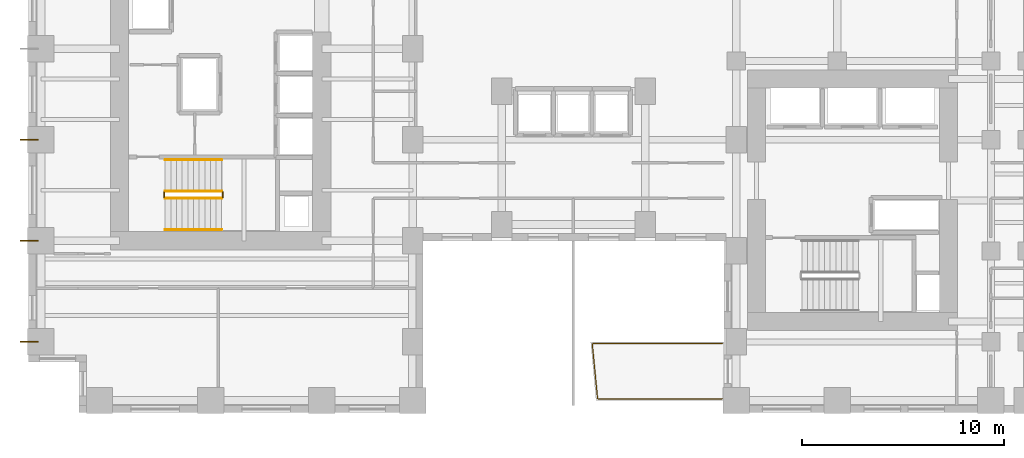
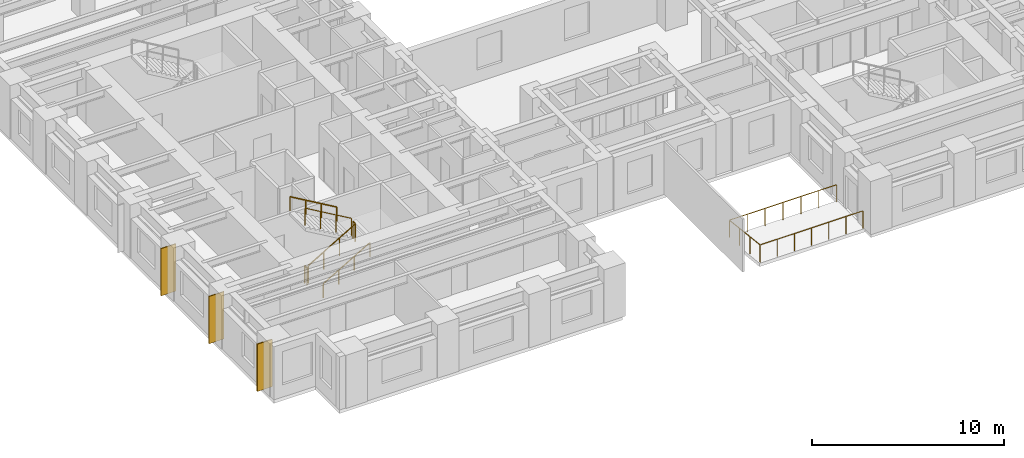
# One storey, part 10 of 12: 7 railings, 3 coverings.
"""IFC4 building model written with IfcOpenShell, lengths in metres."""

from ifc_helpers import new_model, si_unit, direction, frame, origin, origin_2d, place, context, subcontext, project, spatial, rectangle, circle, extrude, source, transform, mapped, material, layer, layer_set, type_object, element, save


model = new_model("IFC4")

# Units and contexts
model_context = context("Model", 3, precision=1e-05, world=origin(), true_north=direction((0.0, 1.0)))
body_context = subcontext(model_context, "Body", "Model", "MODEL_VIEW")
ifc_project = project(units=[si_unit("LENGTHUNIT", "METRE"), si_unit("AREAUNIT", "SQUARE_METRE"), si_unit("VOLUMEUNIT", "CUBIC_METRE"), si_unit("PLANEANGLEUNIT", "RADIAN"), si_unit("MASSUNIT", "GRAM", prefix="KILO")], contexts=[model_context])

# Site, building, storey
site_placement = place(None, origin())
site = spatial("IfcSite", under=ifc_project, at=site_placement, CompositionType="ELEMENT")
building_placement = place(site_placement, origin())
building = spatial("IfcBuilding", under=site, at=building_placement, Name="Kharzan Plaza Tower", CompositionType="ELEMENT")
storey_placement = place(building_placement, frame((0.0, 0.0, 62.10009765625)))
storey = spatial("IfcBuildingStorey", under=building, at=storey_placement, Name="L16", CompositionType="ELEMENT", Elevation=62.10009765625)

# Railings
ifc_material_1 = material(Name="Painted Galvanized Architectural Steel", Category="steel")
ifc_layer_1 = layer(ifc_material_1, 0.074951171875)
ifc_layer_set_1 = layer_set([ifc_layer_1], Name="Painted Galvanized Architectural Steel")
railing_type_1 = type_object("IfcRailingType", Name="RL-GUARD-1120", PredefinedType="BALUSTRADE", material=ifc_layer_set_1)
shared_shape_1 = source(origin(), body_context, "Body", "SweptSolid", [
    extrude(circle(Radius=0.02392578125, at=origin_2d()), frame((0.0, 0.0263671875, 1.09619140625), z_axis=(0.0, 1.0, 0.0), x_axis=(-1.0, 0.0, 0.0)), (0.0, 0.0, 1.0), 0.197021484375),
    extrude(circle(Radius=0.02099609375, at=origin_2d()), origin(), (0.0, 0.0, 1.0), 1.072021484375),
    extrude(circle(Radius=0.02099609375, at=origin_2d()), frame((0.0, 0.25, 0.0)), (0.0, 0.0, 1.0), 1.072021484375),
])
for number, where, name in (
    (1, (9.60009765625, 10.64990234375, 1.7998046875), "L16 ST-1 stair guard 2"),
    (2, (6.699951171875, 10.64990234375, 0.0), "L16 ST-1 stair guard 4"),
):
    element("IfcRailing", number, at=place(storey_placement, frame(where)), inside=storey, type_object=railing_type_1, Name=name, PredefinedType="BALUSTRADE", context=body_context, shape_type="MappedRepresentation", body=[
        mapped(shared_shape_1, transform((0.0, 0.0, 0.0), x_axis=(1.0, 0.0, 0.0), y_axis=(0.0, 1.0, 0.0), z_axis=(0.0, 0.0, 1.0))),
    ])

# Coverings
ifc_material_2 = material(Name="Honed Riyadh Limestone", Category="masonry")
ifc_layer_2 = layer(ifc_material_2, 0.06005859375)
ifc_layer_set_2 = layer_set([ifc_layer_2], Name="Honed Riyadh Limestone")
covering_type = type_object("IfcCoveringType", Name="COV-CLAD-STONE", PredefinedType="CLADDING", material=ifc_layer_set_2)
shared_shape_2 = source(origin(), body_context, "Body", "SweptSolid", [
    extrude(rectangle(XDim=0.06005859375, YDim=0.89990234375, at=origin_2d()), origin(), (0.0, 0.0, 1.0), 3.0),
])
for number, where, z_axis, x_axis, name in (
    (3, (0.02001953125, 13.5, 0.099853515625), (0.0, 0.0, 1.0), (0.0, 1.0, 0.0), "L16 Limestone Pier Rainscreen Cladding TCW-135"),
    (4, (0.02001953125, 3.5, 0.099853515625), (0.0, 0.0, 1.0), (0.0, 1.0, 0.0), "L16 Limestone Pier Rainscreen Cladding TCW-35"),
    (5, (0.02001953125, 8.5, 0.099853515625), (0.0, 0.0, 1.0), (0.0, 1.0, 0.0), "L16 Limestone Pier Rainscreen Cladding TCW-85"),
):
    element("IfcCovering", number, at=place(storey_placement, frame(where, z_axis=z_axis, x_axis=x_axis)), inside=storey, type_object=covering_type, Name=name, PredefinedType="CLADDING", context=body_context, shape_type="MappedRepresentation", body=[
        mapped(shared_shape_2, transform((0.0, 0.0, 0.0), x_axis=(1.0, 0.0, 0.0), y_axis=(0.0, 1.0, 0.0), z_axis=(0.0, 0.0, 1.0))),
    ])

# Railings
shared_shape_3 = source(origin(), body_context, "Body", "SweptSolid", [
    extrude(circle(Radius=0.02392578125, at=origin_2d()), frame((0.02294921875, 0.0, 1.109375), z_axis=(0.863393664356, 0.0, 0.504530851732), x_axis=(0.0, 1.0, 0.0)), (0.0, 0.0, 1.0), 3.190185546875),
    extrude(circle(Radius=0.02099609375, at=origin_2d()), origin(), (0.0, 0.0, 1.0), 1.072021484375),
    extrude(circle(Radius=0.02099609375, at=origin_2d()), frame((0.933349609375, 0.0, 0.54541015625)), (0.0, 0.0, 1.0), 1.072021484375),
    extrude(circle(Radius=0.02099609375, at=origin_2d()), frame((1.86669921875, 0.0, 1.0908203125)), (0.0, 0.0, 1.0), 1.072021484375),
    extrude(circle(Radius=0.02099609375, at=origin_2d()), frame((2.800048828125, 0.0, 1.63623046875)), (0.0, 0.0, 1.0), 1.072021484375),
])
railing_1_placement = place(storey_placement, frame((6.75, 10.60009765625, 0.16357421875)))
element("IfcRailing", 6, at=railing_1_placement, inside=storey, type_object=railing_type_1, Name="L16 ST-1 stair guard 1", PredefinedType="BALUSTRADE", context=body_context, shape_type="MappedRepresentation", body=[
    mapped(shared_shape_3, transform((0.0, 0.0, 0.0), x_axis=(1.0, 0.0, 0.0), y_axis=(0.0, 1.0, 0.0), z_axis=(0.0, 0.0, 1.0))),
])
shared_shape_4 = source(origin(), body_context, "Body", "SweptSolid", [
    extrude(circle(Radius=0.02392578125, at=origin_2d()), frame((-0.02294921875, 0.0, 1.109375), z_axis=(-0.863393664356, 0.0, 0.504530851732), x_axis=(0.0, -1.0, 0.0)), (0.0, 0.0, 1.0), 3.190185546875),
    extrude(circle(Radius=0.02099609375, at=origin_2d()), origin(), (0.0, 0.0, 1.0), 1.072021484375),
    extrude(circle(Radius=0.02099609375, at=origin_2d()), frame((-0.933349609375, 0.0, 0.54541015625)), (0.0, 0.0, 1.0), 1.072021484375),
    extrude(circle(Radius=0.02099609375, at=origin_2d()), frame((-1.86669921875, 0.0, 1.0908203125)), (0.0, 0.0, 1.0), 1.072021484375),
    extrude(circle(Radius=0.02099609375, at=origin_2d()), frame((-2.800048828125, 0.0, 1.63623046875)), (0.0, 0.0, 1.0), 1.072021484375),
])
railing_2_placement = place(storey_placement, frame((9.550048828125, 10.949951171875, 1.963623046875)))
element("IfcRailing", 7, at=railing_2_placement, inside=storey, type_object=railing_type_1, Name="L16 ST-1 stair guard 3", PredefinedType="BALUSTRADE", context=body_context, shape_type="MappedRepresentation", body=[
    mapped(shared_shape_4, transform((0.0, 0.0, 0.0), x_axis=(1.0, 0.0, 0.0), y_axis=(0.0, 1.0, 0.0), z_axis=(0.0, 0.0, 1.0))),
])
ifc_material_3 = material(Name="Brushed Stainless Steel", Category="steel")
ifc_layer_3 = layer(ifc_material_3, 0.050048828125)
ifc_layer_set_3 = layer_set([ifc_layer_3], Name="Brushed Stainless Steel")
railing_type_2 = type_object("IfcRailingType", Name="RL-STAIR-HR920", PredefinedType="HANDRAIL", material=ifc_layer_set_3)
shared_shape_5 = source(origin(), body_context, "Body", "SweptSolid", [
    extrude(circle(Radius=0.02392578125, at=origin_2d()), frame((0.02294921875, 0.0, 0.88916015625), z_axis=(0.863393664356, 0.0, 0.504530851732), x_axis=(0.0, 1.0, 0.0)), (0.0, 0.0, 1.0), 3.190185546875),
    extrude(circle(Radius=0.02099609375, at=origin_2d()), origin(), (0.0, 0.0, 1.0), 0.851806640625),
    extrude(circle(Radius=0.02099609375, at=origin_2d()), frame((0.933349609375, 0.0, 0.54541015625)), (0.0, 0.0, 1.0), 0.851806640625),
    extrude(circle(Radius=0.02099609375, at=origin_2d()), frame((1.86669921875, 0.0, 1.0908203125)), (0.0, 0.0, 1.0), 0.851806640625),
    extrude(circle(Radius=0.02099609375, at=origin_2d()), frame((2.800048828125, 0.0, 1.63623046875)), (0.0, 0.0, 1.0), 0.851806640625),
])
railing_3_placement = place(storey_placement, frame((6.75, 9.050048828125, 0.16357421875)))
element("IfcRailing", 8, at=railing_3_placement, inside=storey, type_object=railing_type_2, Name="L16 ST-1 stair handrail 1", PredefinedType="HANDRAIL", context=body_context, shape_type="MappedRepresentation", body=[
    mapped(shared_shape_5, transform((0.0, 0.0, 0.0), x_axis=(1.0, 0.0, 0.0), y_axis=(0.0, 1.0, 0.0), z_axis=(0.0, 0.0, 1.0))),
])
shared_shape_6 = source(origin(), body_context, "Body", "SweptSolid", [
    extrude(circle(Radius=0.02392578125, at=origin_2d()), frame((-0.02294921875, 0.0, 0.88916015625), z_axis=(-0.863393664356, 0.0, 0.504530851732), x_axis=(0.0, -1.0, 0.0)), (0.0, 0.0, 1.0), 3.190185546875),
    extrude(circle(Radius=0.02099609375, at=origin_2d()), origin(), (0.0, 0.0, 1.0), 0.851806640625),
    extrude(circle(Radius=0.02099609375, at=origin_2d()), frame((-0.933349609375, 0.0, 0.54541015625)), (0.0, 0.0, 1.0), 0.851806640625),
    extrude(circle(Radius=0.02099609375, at=origin_2d()), frame((-1.86669921875, 0.0, 1.0908203125)), (0.0, 0.0, 1.0), 0.851806640625),
    extrude(circle(Radius=0.02099609375, at=origin_2d()), frame((-2.800048828125, 0.0, 1.63623046875)), (0.0, 0.0, 1.0), 0.851806640625),
])
railing_4_placement = place(storey_placement, frame((9.550048828125, 12.5, 1.963623046875)))
element("IfcRailing", 9, at=railing_4_placement, inside=storey, type_object=railing_type_2, Name="L16 ST-1 stair handrail 2", PredefinedType="HANDRAIL", context=body_context, shape_type="MappedRepresentation", body=[
    mapped(shared_shape_6, transform((0.0, 0.0, 0.0), x_axis=(1.0, 0.0, 0.0), y_axis=(0.0, 1.0, 0.0), z_axis=(0.0, 0.0, 1.0))),
])
shared_shape_7 = source(origin(), body_context, "Body", "SweptSolid", [
    extrude(circle(Radius=0.02392578125, at=origin_2d()), frame((-0.0263671875, 0.0, 1.09619140625), z_axis=(-1.0, 0.0, 0.0), x_axis=(0.0, -1.0, 0.0)), (0.0, 0.0, 1.0), 6.123046875),
    extrude(circle(Radius=0.02392578125, at=origin_2d()), frame((-6.178466796875, 0.0263671875, 1.09619140625), z_axis=(-0.095964210763, 0.995384785022, 0.0), x_axis=(-0.995384785022, -0.095964210763, 0.0)), (0.0, 0.0, 1.0), 2.69970703125),
    extrude(circle(Radius=0.02392578125, at=origin_2d()), frame((-6.413818359375, 2.739990234375, 1.09619140625), z_axis=(1.0, 0.0, 0.0), x_axis=(0.0, 1.0, 0.0)), (0.0, 0.0, 1.0), 6.38720703125),
    extrude(circle(Radius=0.02099609375, at=origin_2d()), origin(), (0.0, 0.0, 1.0), 1.072021484375),
    extrude(circle(Radius=0.02099609375, at=origin_2d()), frame((-1.029296875, 0.0, 0.0)), (0.0, 0.0, 1.0), 1.072021484375),
    extrude(circle(Radius=0.02099609375, at=origin_2d()), frame((-2.05859375, 0.0, 0.0)), (0.0, 0.0, 1.0), 1.072021484375),
    extrude(circle(Radius=0.02099609375, at=origin_2d()), frame((-3.087890625, 0.0, 0.0)), (0.0, 0.0, 1.0), 1.072021484375),
    extrude(circle(Radius=0.02099609375, at=origin_2d()), frame((-4.117431640625, 0.0, 0.0)), (0.0, 0.0, 1.0), 1.072021484375),
    extrude(circle(Radius=0.02099609375, at=origin_2d()), frame((-5.146728515625, 0.0, 0.0)), (0.0, 0.0, 1.0), 1.072021484375),
    extrude(circle(Radius=0.02099609375, at=origin_2d()), frame((-6.176025390625, 0.0, 0.0)), (0.0, 0.0, 1.0), 1.072021484375),
    extrude(circle(Radius=0.02099609375, at=origin_2d()), frame((-6.26416015625, 0.913330078125, 0.0)), (0.0, 0.0, 1.0), 1.072021484375),
    extrude(circle(Radius=0.02099609375, at=origin_2d()), frame((-6.35205078125, 1.82666015625, 0.0)), (0.0, 0.0, 1.0), 1.072021484375),
    extrude(circle(Radius=0.02099609375, at=origin_2d()), frame((-6.440185546875, 2.739990234375, 0.0)), (0.0, 0.0, 1.0), 1.072021484375),
    extrude(circle(Radius=0.02099609375, at=origin_2d()), frame((-5.36669921875, 2.739990234375, 0.0)), (0.0, 0.0, 1.0), 1.072021484375),
    extrude(circle(Radius=0.02099609375, at=origin_2d()), frame((-4.29345703125, 2.739990234375, 0.0)), (0.0, 0.0, 1.0), 1.072021484375),
    extrude(circle(Radius=0.02099609375, at=origin_2d()), frame((-3.22021484375, 2.739990234375, 0.0)), (0.0, 0.0, 1.0), 1.072021484375),
    extrude(circle(Radius=0.02099609375, at=origin_2d()), frame((-2.146728515625, 2.739990234375, 0.0)), (0.0, 0.0, 1.0), 1.072021484375),
    extrude(circle(Radius=0.02099609375, at=origin_2d()), frame((-1.0732421875, 2.739990234375, 0.0)), (0.0, 0.0, 1.0), 1.072021484375),
    extrude(circle(Radius=0.02099609375, at=origin_2d()), frame((0.0, 2.739990234375, 0.0)), (0.0, 0.0, 1.0), 1.072021484375),
])
railing_5_placement = place(storey_placement, frame((34.320068359375, 0.679931640625, 0.0)))
element("IfcRailing", 10, at=railing_5_placement, inside=storey, type_object=railing_type_1, Name="L16 Cantilevered Sky-Terrace Tray Balustrade", PredefinedType="BALUSTRADE", context=body_context, shape_type="MappedRepresentation", body=[
    mapped(shared_shape_7, transform((0.0, 0.0, 0.0), x_axis=(1.0, 0.0, 0.0), y_axis=(0.0, 1.0, 0.0), z_axis=(0.0, 0.0, 1.0))),
])

save(model, "model.ifc")
